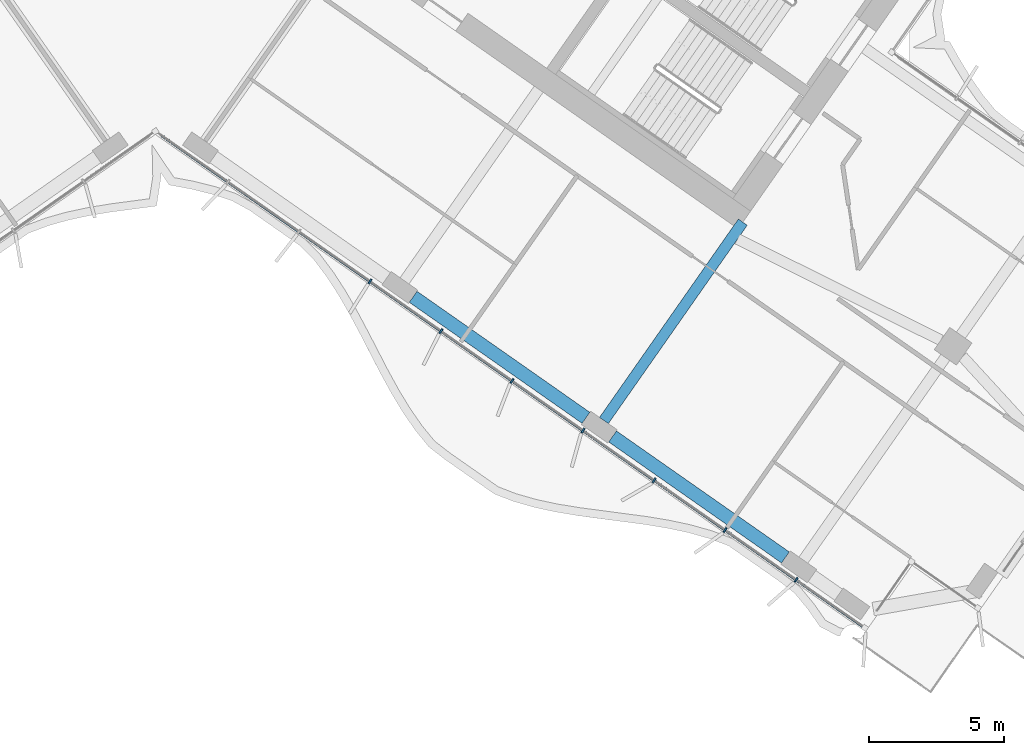
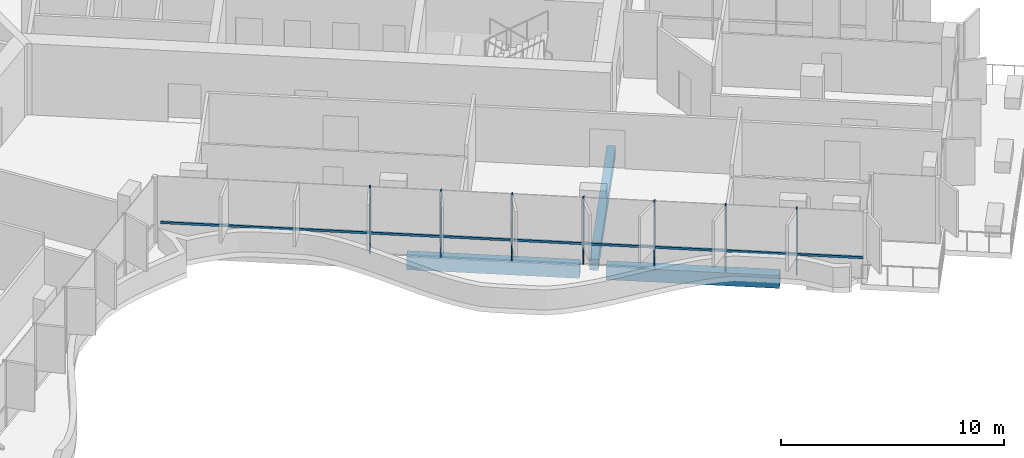
# One storey, part 5 of 22: 8 members, 3 beams, 1 element without a shape of its own.
"""IFC4 building model written with IfcOpenShell, lengths in metres."""

from ifc_helpers import new_model, si_unit, direction, frame, origin, origin_2d, place, context, subcontext, project, spatial, rectangle, extrude, material, material_profile, profile_set, type_object, element, aggregate, save


model = new_model("IFC4")

# Units and contexts
model_context = context("Model", 3, precision=1e-05, world=origin(), true_north=direction((0.0, 1.0)))
body_context = subcontext(model_context, "Body", "Model", "MODEL_VIEW")
ifc_project = project(units=[si_unit("LENGTHUNIT", "METRE"), si_unit("AREAUNIT", "SQUARE_METRE"), si_unit("VOLUMEUNIT", "CUBIC_METRE"), si_unit("PLANEANGLEUNIT", "RADIAN"), si_unit("MASSUNIT", "GRAM", prefix="KILO")], contexts=[model_context])

# Site, building, storey
site_placement = place(None, origin())
site = spatial("IfcSite", under=ifc_project, at=site_placement, CompositionType="ELEMENT")
building_placement = place(site_placement, origin())
building = spatial("IfcBuilding", under=site, at=building_placement, Name="Tel Ilan Convention Tower", CompositionType="ELEMENT")
storey_placement = place(building_placement, frame((0.0, 0.0, 143.699951171875)))
storey = spatial("IfcBuildingStorey", under=building, at=storey_placement, Name="L32", CompositionType="ELEMENT", Elevation=143.699951171875)

# Beams
ifc_material_1 = material(Name="Concrete C40/50", Category="concrete")
ifc_material_profile_1 = material_profile(ifc_material_1, rectangle(XDim=0.39990234375, YDim=0.60009765625, at=origin_2d()), Name="RC 400x600")
ifc_profile_set_1 = profile_set([ifc_material_profile_1], Name="Concrete C40/50")
beam_type_1 = type_object("IfcBeamType", Name="Beam RC 400x600 Concrete C40/50", PredefinedType="BEAM", material=ifc_profile_set_1)
beam_placement = place(storey_placement, frame((16.58203125, -23.391357421875, -0.579833984375), z_axis=(0.573584999642, 0.819146048141, 0.0), x_axis=(-0.819146048141, 0.573584999642, 0.0)))
element("IfcBeam", 1, at=beam_placement, inside=storey, type_object=beam_type_1, Name="L32 beam E-E-F3-core", PredefinedType="BEAM", context=body_context, shape_type="SweptSolid", body=[
    extrude(rectangle(XDim=0.39990234375, YDim=0.60009765625, at=origin_2d()), origin(), (0.0, 0.0, 1.0), 8.949951171875),
])
ifc_material_2 = material(Name="Concrete C40/50", Category="concrete")
ifc_material_profile_2 = material_profile(ifc_material_2, rectangle(XDim=0.5, YDim=0.699951171875, at=origin_2d()), Name="RC 500x700")
ifc_profile_set_2 = profile_set([ifc_material_profile_2], Name="Concrete C40/50")
beam_type_2 = type_object("IfcBeamType", Name="Beam RC 500x700 Concrete C40/50", PredefinedType="BEAM", material=ifc_profile_set_2)
for number, where, z_axis, x_axis, name in (
    (2, (9.529052734375, -18.819091796875, -0.6298828125), (0.819153977895, -0.573573674866, 0.0), (0.573573674866, 0.819153977895, 0.0), "L32 beam E-E-F2-E-F3"),
    (3, (16.901611328125, -23.981201171875, -0.6298828125), (0.819153977895, -0.573573674866, 0.0), (0.573573674866, 0.819153977895, 0.0), "L32 beam E-E-F3-E-F4"),
):
    element("IfcBeam", number, at=place(storey_placement, frame(where, z_axis=z_axis, x_axis=x_axis)), inside=storey, type_object=beam_type_2, Name=name, PredefinedType="BEAM", context=body_context, shape_type="SweptSolid", body=[
        extrude(rectangle(XDim=0.5, YDim=0.699951171875, at=origin_2d()), origin(), (0.0, 0.0, 1.0), 7.800048828125),
    ])

# Curtain wall, members
ifc_material_3 = material(Name="Aluminium, bronze anodised", Category="aluminium")
curtain_wall_type = type_object("IfcCurtainWallType", Name="CW4 STICK CURTAIN WALL, OFFICE TINTED GLASS", PredefinedType="NOTDEFINED", material=ifc_material_3)
curtain_wall_placement = place(storey_placement, origin())
curtain_wall = element("IfcCurtainWall", 4, at=curtain_wall_placement, inside=storey, type_object=curtain_wall_type, Name="Curtain wall CW4-26.04", PredefinedType="NOTDEFINED")
ifc_material_4 = material(Name="Aluminium, bronze anodised", Category="aluminium")
ifc_material_profile_3 = material_profile(ifc_material_4, rectangle(XDim=0.06005859375, YDim=0.199951171875, at=origin_2d()), Name="CW MULLION 60x200")
ifc_profile_set_3 = profile_set([ifc_material_profile_3], Name="Aluminium, bronze anodised")
member_type_1 = type_object("IfcMemberType", Name="CW MULLION 60x200", PredefinedType="MULLION", material=ifc_profile_set_3)
member_1_placement = place(storey_placement, frame((7.932861328125, -18.250732421875, 0.0), z_axis=(0.0, 0.0, 1.0), x_axis=(0.819152044289, -0.573576436351, 0.0)))
member_1 = element("IfcMember", 5, at=member_1_placement, type_object=member_type_1, Name="Mullion", PredefinedType="MULLION", context=body_context, shape_type="SweptSolid", body=[
    extrude(rectangle(XDim=0.06005859375, YDim=0.199951171875, at=origin_2d()), origin(), (0.0, 0.0, 1.0), 3.6201171875),
])
member_2_placement = place(storey_placement, frame((10.55810546875, -20.0888671875, 0.0), z_axis=(0.0, 0.0, 1.0), x_axis=(0.819152044289, -0.573576436351, 0.0)))
member_2 = element("IfcMember", 6, at=member_2_placement, type_object=member_type_1, Name="Mullion", PredefinedType="MULLION", context=body_context, shape_type="SweptSolid", body=[
    extrude(rectangle(XDim=0.06005859375, YDim=0.199951171875, at=origin_2d()), origin(), (0.0, 0.0, 1.0), 3.6201171875),
])
member_3_placement = place(storey_placement, frame((13.183349609375, -21.92724609375, 0.0), z_axis=(0.0, 0.0, 1.0), x_axis=(0.819152044289, -0.573576436351, 0.0)))
member_3 = element("IfcMember", 7, at=member_3_placement, type_object=member_type_1, Name="Mullion", PredefinedType="MULLION", context=body_context, shape_type="SweptSolid", body=[
    extrude(rectangle(XDim=0.06005859375, YDim=0.199951171875, at=origin_2d()), origin(), (0.0, 0.0, 1.0), 3.6201171875),
])
member_4_placement = place(storey_placement, frame((15.80859375, -23.765380859375, 0.0), z_axis=(0.0, 0.0, 1.0), x_axis=(0.819152044289, -0.573576436351, 0.0)))
member_4 = element("IfcMember", 8, at=member_4_placement, type_object=member_type_1, Name="Mullion", PredefinedType="MULLION", context=body_context, shape_type="SweptSolid", body=[
    extrude(rectangle(XDim=0.06005859375, YDim=0.199951171875, at=origin_2d()), origin(), (0.0, 0.0, 1.0), 3.6201171875),
])
member_5_placement = place(storey_placement, frame((18.433837890625, -25.603515625, 0.0), z_axis=(0.0, 0.0, 1.0), x_axis=(0.819152044289, -0.573576436351, 0.0)))
member_5 = element("IfcMember", 9, at=member_5_placement, type_object=member_type_1, Name="Mullion", PredefinedType="MULLION", context=body_context, shape_type="SweptSolid", body=[
    extrude(rectangle(XDim=0.06005859375, YDim=0.199951171875, at=origin_2d()), origin(), (0.0, 0.0, 1.0), 3.6201171875),
])
member_6_placement = place(storey_placement, frame((21.05908203125, -27.441650390625, 0.0), z_axis=(0.0, 0.0, 1.0), x_axis=(0.819152044289, -0.573576436351, 0.0)))
member_6 = element("IfcMember", 10, at=member_6_placement, type_object=member_type_1, Name="Mullion", PredefinedType="MULLION", context=body_context, shape_type="SweptSolid", body=[
    extrude(rectangle(XDim=0.06005859375, YDim=0.199951171875, at=origin_2d()), origin(), (0.0, 0.0, 1.0), 3.6201171875),
])
member_7_placement = place(storey_placement, frame((23.68408203125, -29.27978515625, 0.0), z_axis=(0.0, 0.0, 1.0), x_axis=(0.819152044289, -0.573576436351, 0.0)))
member_7 = element("IfcMember", 11, at=member_7_placement, type_object=member_type_1, Name="Mullion", PredefinedType="MULLION", context=body_context, shape_type="SweptSolid", body=[
    extrude(rectangle(XDim=0.06005859375, YDim=0.199951171875, at=origin_2d()), origin(), (0.0, 0.0, 1.0), 3.6201171875),
])
ifc_material_5 = material(Name="Aluminium, bronze anodised", Category="aluminium")
ifc_material_profile_4 = material_profile(ifc_material_5, rectangle(XDim=0.10009765625, YDim=0.1201171875, at=origin_2d()), Name="CW TRANSOM 100x120")
ifc_profile_set_4 = profile_set([ifc_material_profile_4], Name="Aluminium, bronze anodised")
member_type_2 = type_object("IfcMemberType", Name="CW TRANSOM 100x120", PredefinedType="USERDEFINED", material=ifc_profile_set_4)
member_8_placement = place(storey_placement, frame((0.22119140625, -12.850830078125, 1.10009765625), z_axis=(0.819149281128, -0.573580382534, 0.0), x_axis=(0.573580382534, 0.819149281128, 0.0)))
member_8 = element("IfcMember", 12, at=member_8_placement, type_object=member_type_2, Name="Transom", ObjectType="TRANSOM", PredefinedType="USERDEFINED", context=body_context, shape_type="SweptSolid", body=[
    extrude(rectangle(XDim=0.10009765625, YDim=0.1201171875, at=origin_2d()), origin(), (0.0, 0.0, 1.0), 31.64794921875),
])
aggregate(curtain_wall, [member_1, member_2, member_3, member_4, member_5, member_6, member_7, member_8])

save(model, "model.ifc")
